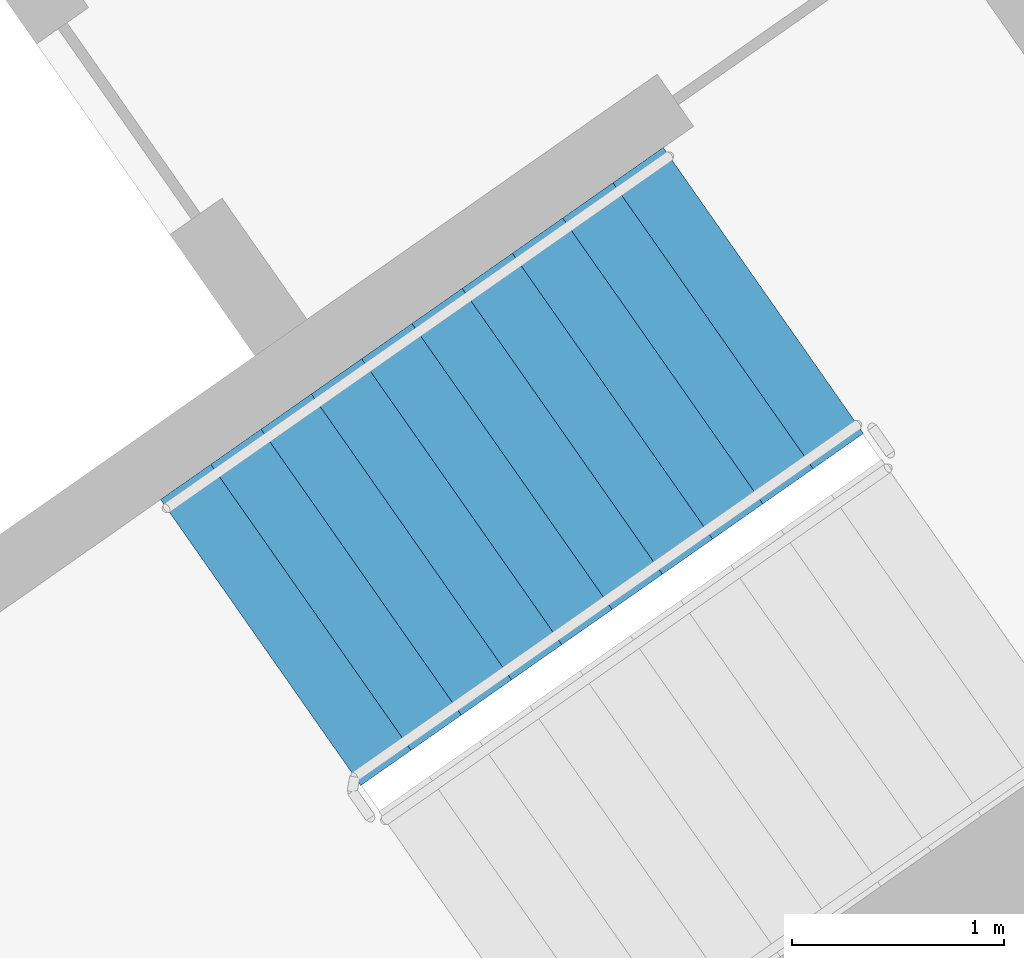
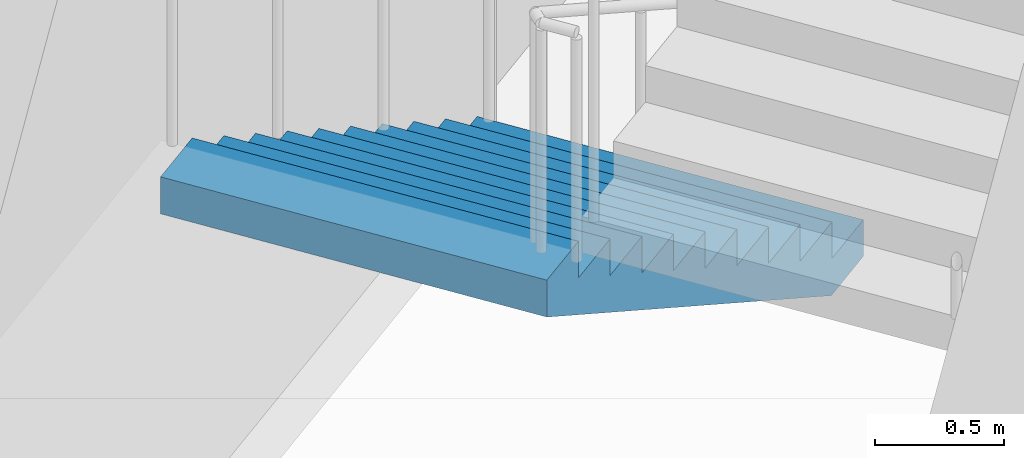
# One storey, part 16 of 29: 1 stair flight, 1 element without a shape of its own.
"""IFC4 building model written with IfcOpenShell, lengths in metres."""

import ifcopenshell
import ifcopenshell.guid

model = None  # the IFC model being written
_history = None  # IfcOwnerHistory: only IFC2X3 demands one
_inside = {}  # id of a spatial element -> (the spatial element, [elements in it])
_under = {}  # id of a project, library or spatial element -> (it, [spatial elements below it])
_declared = {}  # id of a project -> (the project, [libraries it declares])
_typed = {}  # id of a type object -> (the type object, [elements of that type])
_made_of = {}  # id of a material, layer set ... -> (it, [elements and type objects made of it])


def new_model(schema):
    """Start an empty IFC model of exactly this schema.

    Asked for "IFC4X3", IfcOpenShell would pick the latest addendum, in which some entities
    have other attributes; the version numbers below select the first issue.
    IFC2X3 requires an IfcOwnerHistory on every rooted entity: one is made here for all.
    """
    global model, _history
    if schema == "IFC4X3":
        model = ifcopenshell.file(schema_version=(4, 3, 0, 0))
    else:
        model = ifcopenshell.file(schema=schema)
    _inside.clear()
    _under.clear()
    _declared.clear()
    _typed.clear()
    _made_of.clear()
    _history = None
    if model.schema == "IFC2X3":
        org = make("IfcOrganization", Name="unknown")
        user = make(
            "IfcPersonAndOrganization",
            ThePerson=make("IfcPerson", FamilyName="unknown"),
            TheOrganization=org,
        )
        app = make(
            "IfcApplication",
            ApplicationDeveloper=org,
            Version="unknown",
            ApplicationFullName="unknown",
            ApplicationIdentifier="unknown",
        )
        _history = make(
            "IfcOwnerHistory",
            OwningUser=user,
            OwningApplication=app,
            ChangeAction="ADDED",
            CreationDate=0,
        )
    return model


def make(cls, **values):
    """One entity of the class cls with the attributes given. An attribute that is None is left unset."""
    return model.create_entity(
        cls, **{name: value for name, value in values.items() if value is not None}
    )


def rooted(cls, **values):
    """An entity with a GlobalId (a new one), such as an element, a storey or a relation."""
    return make(cls, GlobalId=ifcopenshell.guid.new(), OwnerHistory=_history, **values)


def si_unit(unit_type, name, prefix=None):
    """IfcSIUnit, for example si_unit("LENGTHUNIT", "METRE", prefix="MILLI")."""
    return make("IfcSIUnit", UnitType=unit_type, Prefix=prefix, Name=name)


def assignment(units):
    """IfcUnitAssignment: the units of a project."""
    return None if units is None else make("IfcUnitAssignment", Units=units)


def point(xyz):
    """IfcCartesianPoint."""
    return None if xyz is None else make("IfcCartesianPoint", Coordinates=xyz)


def direction(xyz):
    """IfcDirection."""
    return None if xyz is None else make("IfcDirection", DirectionRatios=xyz)


def frame(location, z_axis=None, x_axis=None):
    """IfcAxis2Placement3D, a coordinate frame: its origin and axes. An axis left out is left unset."""
    return make(
        "IfcAxis2Placement3D",
        Location=point(location),
        Axis=direction(z_axis),
        RefDirection=direction(x_axis),
    )


def origin():
    """The frame at (0, 0, 0) with its axes left unset."""
    return frame((0.0, 0.0, 0.0))


def place(relative_to, where):
    """IfcLocalPlacement: puts the frame where relative to a parent placement (None: the world)."""
    return make(
        "IfcLocalPlacement", PlacementRelTo=relative_to, RelativePlacement=where
    )


def context(
    kind, dimensions, precision=None, world=None, true_north=None, identifier=None
):
    """IfcGeometricRepresentationContext, for example the 3D "Model" context."""
    return make(
        "IfcGeometricRepresentationContext",
        ContextIdentifier=identifier,
        ContextType=kind,
        CoordinateSpaceDimension=dimensions,
        Precision=precision,
        WorldCoordinateSystem=world,
        TrueNorth=true_north,
    )


def subcontext(parent, identifier, kind, view, scale=None):
    """IfcGeometricRepresentationSubContext, for example "Body" below "Model"."""
    return make(
        "IfcGeometricRepresentationSubContext",
        ContextIdentifier=identifier,
        ContextType=kind,
        ParentContext=parent,
        TargetScale=scale,
        TargetView=view,
    )


def project(units=None, contexts=None):
    """IfcProject with its units and contexts."""
    return rooted(
        "IfcProject",
        Name="project",
        RepresentationContexts=contexts,
        UnitsInContext=assignment(units),
    )


def spatial(cls, under=None, at=None, **own):
    """A site, building, storey or space (cls), placed at a placement, below another one or the project."""
    s = rooted(cls, ObjectPlacement=at, **own)
    if under is not None:
        _under.setdefault(under.id(), (under, []))[1].append(s)
    return s


def faces_of(points, faces, orient=None, outer=None):
    """IfcFace entities. A face is a list of loops; a loop is a list of indices into points, from 0.

    orient and outer hold one flag for each loop. By default every Orientation is true, the
    first loop of a face is its IfcFaceOuterBound and the others are IfcFaceBound.
    """
    made = []
    for i, loops in enumerate(faces):
        bounds = []
        for j, loop in enumerate(loops):
            is_outer = j == 0 if outer is None else outer[i][j]
            bounds.append(
                make(
                    "IfcFaceOuterBound" if is_outer else "IfcFaceBound",
                    Bound=make("IfcPolyLoop", Polygon=[points[k] for k in loop]),
                    Orientation=True if orient is None else orient[i][j],
                )
            )
        made.append(make("IfcFace", Bounds=bounds))
    return made


def faceted_brep(points, faces, orient=None, outer=None, voids=None):
    """IfcFacetedBrep: a solid bounded by flat faces; with voids (closed shells), ...WithVoids."""
    shared = [point(p) for p in points]
    hull = make("IfcClosedShell", CfsFaces=faces_of(shared, faces, orient, outer))
    if voids is None:
        return make("IfcFacetedBrep", Outer=hull)
    return make(
        "IfcFacetedBrepWithVoids",
        Outer=hull,
        Voids=[
            make(cls, CfsFaces=faces_of(shared, fs, o, b)) for cls, fs, o, b in voids
        ],
    )


def shape(context_of_items, identifier, shape_type, items):
    """IfcShapeRepresentation: the items that make up one representation, for example the "Body"."""
    return make(
        "IfcShapeRepresentation",
        ContextOfItems=context_of_items,
        RepresentationIdentifier=identifier,
        RepresentationType=shape_type,
        Items=items,
    )


def material(Name=None, Category=None):
    """IfcMaterial."""
    return make("IfcMaterial", Name=Name, Category=Category)


def made_of(thing, what):
    """Note that an element or type object is made of a material, layer set ...; save() writes the relation."""
    if what is not None:
        _made_of.setdefault(what.id(), (what, []))[1].append(thing)
    return thing


def type_object(cls, material=None, **own):
    """A type object (cls), such as IfcWallType, which elements share."""
    return made_of(rooted(cls, **own), material)


def element(
    cls,
    number,
    at=None,
    inside=None,
    cuts=None,
    type_object=None,
    material=None,
    context=None,
    identifier="Body",
    shape_type=None,
    held_by="IfcProductDefinitionShape",
    body=None,
    shapes=None,
    **own,
):
    """One element of the class cls, such as IfcWall. Its Tag is "e" and its number.

    at: its placement. inside: the storey or other place that contains it. cuts: it is an
    opening in that element (IfcRelVoidsElement). A single representation is given by context,
    identifier, shape_type and body (its items); several are given by shapes. held_by: the class
    of the entity that holds the representations. save() writes the other relations.
    """
    e = rooted(cls, Tag="e%d" % number, ObjectPlacement=at, **own)
    if body is not None:
        shapes = [shape(context, identifier, shape_type, body)]
    if shapes is not None:
        e.Representation = make(held_by, Representations=shapes)
    if inside is not None:
        _inside.setdefault(inside.id(), (inside, []))[1].append(e)
    if cuts is not None:
        rooted(
            "IfcRelVoidsElement", RelatingBuildingElement=cuts, RelatedOpeningElement=e
        )
    if type_object is not None:
        _typed.setdefault(type_object.id(), (type_object, []))[1].append(e)
    return made_of(e, material)


def aggregate(whole, parts):
    """IfcRelAggregates: a whole, such as a stair, and the parts it consists of."""
    return rooted("IfcRelAggregates", RelatingObject=whole, RelatedObjects=parts)


def save(model, path):
    """Write the relations noted so far, then the file.

    IfcRelAggregates (storeys below a building ...), IfcRelContainedInSpatialStructure (elements
    in a storey), IfcRelDefinesByType, IfcRelAssociatesMaterial and IfcRelDeclares: one each for
    every whole, place, type object, material and project.
    """
    for whole, parts in _under.values():
        aggregate(whole, parts)
    for where, things in _inside.values():
        rooted(
            "IfcRelContainedInSpatialStructure",
            RelatedElements=things,
            RelatingStructure=where,
        )
    for kind, things in _typed.values():
        rooted("IfcRelDefinesByType", RelatedObjects=things, RelatingType=kind)
    for what, things in _made_of.values():
        rooted("IfcRelAssociatesMaterial", RelatedObjects=things, RelatingMaterial=what)
    for by, libraries in _declared.values():
        rooted("IfcRelDeclares", RelatingContext=by, RelatedDefinitions=libraries)
    model.write(path)


model = new_model("IFC4")

# Units and contexts
model_context = context("Model", 3, precision=1e-05, world=origin(), true_north=direction((0.0, 1.0)))
body_context = subcontext(model_context, "Body", "Model", "MODEL_VIEW")
ifc_project = project(units=[si_unit("LENGTHUNIT", "METRE"), si_unit("AREAUNIT", "SQUARE_METRE"), si_unit("VOLUMEUNIT", "CUBIC_METRE"), si_unit("PLANEANGLEUNIT", "RADIAN"), si_unit("MASSUNIT", "GRAM", prefix="KILO")], contexts=[model_context])

# Site, building, storey
site_placement = place(None, origin())
site = spatial("IfcSite", under=ifc_project, at=site_placement, CompositionType="ELEMENT")
building_placement = place(site_placement, origin())
building = spatial("IfcBuilding", under=site, at=building_placement, Name="Qamariyya Broadcast Tower", CompositionType="ELEMENT")
storey_placement = place(building_placement, frame((0.0, 0.0, 136.699951171875)))
storey = spatial("IfcBuildingStorey", under=building, at=storey_placement, Name="L31", CompositionType="ELEMENT", Elevation=136.699951171875)

# Stair, stair flight
ifc_material = material(Name="Concrete C50/60", Category="concrete")
stair_type = type_object("IfcStairType", Name="Exit stair 22 risers of 173 mm", PredefinedType="HALF_TURN_STAIR", material=ifc_material)
stair_placement = place(storey_placement, origin())
stair = element("IfcStair", 1, at=stair_placement, inside=storey, type_object=stair_type, Name="L31 Stair E1", PredefinedType="HALF_TURN_STAIR")
stair_flight_type = type_object("IfcStairFlightType", Name="Exit stair flight 11 risers of 173 mm", PredefinedType="STRAIGHT", material=ifc_material)
stair_flight_placement = place(storey_placement, frame((46.036376953125, -55.508056640625, 0.0), z_axis=(0.0, 0.0, 1.0), x_axis=(-0.819152044289, -0.573576436351, 0.0)))
stair_flight = element("IfcStairFlight", 2, at=stair_flight_placement, type_object=stair_flight_type, Name="ST-E1 flight 1", NumberOfRisers=11, NumberOfTreads=10, PredefinedType="STRAIGHT", RiserHeight=0.172727273, TreadLength=0.29, context=body_context, shape_type="Brep", body=[
    faceted_brep([(0.0, 0.824951171875, 0.0), (0.0, 0.824951171875, 0.172607421875), (0.2900390625, 0.824951171875, 0.172607421875), (0.2900390625, 0.824951171875, 0.345458984375), (0.580078125, 0.824951171875, 0.345458984375), (0.580078125, 0.824951171875, 0.51806640625), (0.8701171875, 0.824951171875, 0.51806640625), (0.8701171875, 0.824951171875, 0.69091796875), (1.159912109375, 0.824951171875, 0.69091796875), (1.159912109375, 0.824951171875, 0.863525390625), (1.449951171875, 0.824951171875, 0.863525390625), (1.449951171875, 0.824951171875, 1.036376953125), (1.739990234375, 0.824951171875, 1.036376953125), (1.739990234375, 0.824951171875, 1.208984375), (2.030029296875, 0.824951171875, 1.208984375), (2.030029296875, 0.824951171875, 1.3818359375), (2.320068359375, 0.824951171875, 1.3818359375), (2.320068359375, 0.824951171875, 1.554443359375), (2.610107421875, 0.824951171875, 1.554443359375), (2.610107421875, 0.824951171875, 1.727294921875), (2.89990234375, 0.824951171875, 1.727294921875), (2.89990234375, 0.824951171875, 1.552734375), (0.29296875, 0.824951171875, 0.0), (0.29296875, -0.824951171875, 0.0), (2.89990234375, -0.824951171875, 1.552734375), (2.89990234375, -0.824951171875, 1.727294921875), (2.610107421875, -0.824951171875, 1.727294921875), (2.610107421875, -0.824951171875, 1.554443359375), (2.320068359375, -0.824951171875, 1.554443359375), (2.320068359375, -0.824951171875, 1.3818359375), (2.030029296875, -0.824951171875, 1.3818359375), (2.030029296875, -0.824951171875, 1.208984375), (1.739990234375, -0.824951171875, 1.208984375), (1.739990234375, -0.824951171875, 1.036376953125), (1.449951171875, -0.824951171875, 1.036376953125), (1.449951171875, -0.824951171875, 0.863525390625), (1.159912109375, -0.824951171875, 0.863525390625), (1.159912109375, -0.824951171875, 0.69091796875), (0.8701171875, -0.824951171875, 0.69091796875), (0.8701171875, -0.824951171875, 0.51806640625), (0.580078125, -0.824951171875, 0.51806640625), (0.580078125, -0.824951171875, 0.345458984375), (0.2900390625, -0.824951171875, 0.345458984375), (0.2900390625, -0.824951171875, 0.172607421875), (0.0, -0.824951171875, 0.172607421875), (0.0, -0.824951171875, 0.0), (0.0, 0.10009765625, 0.0), (0.0, 0.086669921875, 0.0), (0.0, 0.0732421875, 0.0), (0.0, 0.06005859375, 0.0), (0.0, 0.046630859375, 0.0), (0.0, 0.033447265625, 0.0), (0.0, 0.02001953125, 0.0), (0.0, 0.006591796875, 0.0), (0.0, -0.006591796875, 0.0), (0.0, -0.02001953125, 0.0), (0.0, -0.033447265625, 0.0), (0.0, -0.046630859375, 0.0), (0.0, -0.06005859375, 0.0), (0.0, -0.0732421875, 0.0), (0.0, -0.086669921875, 0.0), (0.0, -0.10009765625, 0.0), (0.0, -0.10009765625, 0.172607421875), (0.0, -0.086669921875, 0.172607421875), (0.0, -0.0732421875, 0.172607421875), (0.0, -0.06005859375, 0.172607421875), (0.0, -0.046630859375, 0.172607421875), (0.0, -0.033447265625, 0.172607421875), (0.0, -0.02001953125, 0.172607421875), (0.0, -0.006591796875, 0.172607421875), (0.0, 0.006591796875, 0.172607421875), (0.0, 0.02001953125, 0.172607421875), (0.0, 0.033447265625, 0.172607421875), (0.0, 0.046630859375, 0.172607421875), (0.0, 0.06005859375, 0.172607421875), (0.0, 0.0732421875, 0.172607421875), (0.0, 0.086669921875, 0.172607421875), (0.0, 0.10009765625, 0.172607421875), (0.2900390625, -0.10009765625, 0.172607421875), (0.2900390625, -0.086669921875, 0.172607421875), (0.2900390625, -0.0732421875, 0.172607421875), (0.2900390625, -0.06005859375, 0.172607421875), (0.2900390625, -0.046630859375, 0.172607421875), (0.2900390625, -0.033447265625, 0.172607421875), (0.2900390625, -0.02001953125, 0.172607421875), (0.2900390625, -0.006591796875, 0.172607421875), (0.2900390625, 0.006591796875, 0.172607421875), (0.2900390625, 0.02001953125, 0.172607421875), (0.2900390625, 0.033447265625, 0.172607421875), (0.2900390625, 0.046630859375, 0.172607421875), (0.2900390625, 0.06005859375, 0.172607421875), (0.2900390625, 0.0732421875, 0.172607421875), (0.2900390625, 0.086669921875, 0.172607421875), (0.2900390625, 0.10009765625, 0.172607421875), (0.2900390625, -0.10009765625, 0.345458984375), (0.2900390625, -0.086669921875, 0.345458984375), (0.2900390625, -0.0732421875, 0.345458984375), (0.2900390625, -0.06005859375, 0.345458984375), (0.2900390625, -0.046630859375, 0.345458984375), (0.2900390625, -0.033447265625, 0.345458984375), (0.2900390625, -0.02001953125, 0.345458984375), (0.2900390625, -0.006591796875, 0.345458984375), (0.2900390625, 0.006591796875, 0.345458984375), (0.2900390625, 0.02001953125, 0.345458984375), (0.2900390625, 0.033447265625, 0.345458984375), (0.2900390625, 0.046630859375, 0.345458984375), (0.2900390625, 0.06005859375, 0.345458984375), (0.2900390625, 0.0732421875, 0.345458984375), (0.2900390625, 0.086669921875, 0.345458984375), (0.2900390625, 0.10009765625, 0.345458984375), (0.580078125, -0.10009765625, 0.345458984375), (0.580078125, -0.086669921875, 0.345458984375), (0.580078125, -0.0732421875, 0.345458984375), (0.580078125, -0.06005859375, 0.345458984375), (0.580078125, -0.046630859375, 0.345458984375), (0.580078125, -0.033447265625, 0.345458984375), (0.580078125, -0.02001953125, 0.345458984375), (0.580078125, -0.006591796875, 0.345458984375), (0.580078125, 0.006591796875, 0.345458984375), (0.580078125, 0.02001953125, 0.345458984375), (0.580078125, 0.033447265625, 0.345458984375), (0.580078125, 0.046630859375, 0.345458984375), (0.580078125, 0.06005859375, 0.345458984375), (0.580078125, 0.0732421875, 0.345458984375), (0.580078125, 0.086669921875, 0.345458984375), (0.580078125, 0.10009765625, 0.345458984375), (0.580078125, -0.10009765625, 0.51806640625), (0.580078125, -0.086669921875, 0.51806640625), (0.580078125, -0.0732421875, 0.51806640625), (0.580078125, -0.06005859375, 0.51806640625), (0.580078125, -0.046630859375, 0.51806640625), (0.580078125, -0.033447265625, 0.51806640625), (0.580078125, -0.02001953125, 0.51806640625), (0.580078125, -0.006591796875, 0.51806640625), (0.580078125, 0.006591796875, 0.51806640625), (0.580078125, 0.02001953125, 0.51806640625), (0.580078125, 0.033447265625, 0.51806640625), (0.580078125, 0.046630859375, 0.51806640625), (0.580078125, 0.06005859375, 0.51806640625), (0.580078125, 0.0732421875, 0.51806640625), (0.580078125, 0.086669921875, 0.51806640625), (0.580078125, 0.10009765625, 0.51806640625), (0.8701171875, -0.10009765625, 0.51806640625), (0.8701171875, -0.086669921875, 0.51806640625), (0.8701171875, -0.0732421875, 0.51806640625), (0.8701171875, -0.06005859375, 0.51806640625), (0.8701171875, -0.046630859375, 0.51806640625), (0.8701171875, -0.033447265625, 0.51806640625), (0.8701171875, -0.02001953125, 0.51806640625), (0.8701171875, -0.006591796875, 0.51806640625), (0.8701171875, 0.006591796875, 0.51806640625), (0.8701171875, 0.02001953125, 0.51806640625), (0.8701171875, 0.033447265625, 0.51806640625), (0.8701171875, 0.046630859375, 0.51806640625), (0.8701171875, 0.06005859375, 0.51806640625), (0.8701171875, 0.0732421875, 0.51806640625), (0.8701171875, 0.086669921875, 0.51806640625), (0.8701171875, 0.10009765625, 0.51806640625), (0.8701171875, -0.10009765625, 0.69091796875), (0.8701171875, -0.086669921875, 0.69091796875), (0.8701171875, -0.0732421875, 0.69091796875), (0.8701171875, -0.06005859375, 0.69091796875), (0.8701171875, -0.046630859375, 0.69091796875), (0.8701171875, -0.033447265625, 0.69091796875), (0.8701171875, -0.02001953125, 0.69091796875), (0.8701171875, -0.006591796875, 0.69091796875), (0.8701171875, 0.006591796875, 0.69091796875), (0.8701171875, 0.02001953125, 0.69091796875), (0.8701171875, 0.033447265625, 0.69091796875), (0.8701171875, 0.046630859375, 0.69091796875), (0.8701171875, 0.06005859375, 0.69091796875), (0.8701171875, 0.0732421875, 0.69091796875), (0.8701171875, 0.086669921875, 0.69091796875), (0.8701171875, 0.10009765625, 0.69091796875), (1.159912109375, -0.10009765625, 0.69091796875), (1.159912109375, -0.086669921875, 0.69091796875), (1.159912109375, -0.0732421875, 0.69091796875), (1.159912109375, -0.06005859375, 0.69091796875), (1.159912109375, -0.046630859375, 0.69091796875), (1.159912109375, -0.033447265625, 0.69091796875), (1.159912109375, -0.02001953125, 0.69091796875), (1.159912109375, -0.006591796875, 0.69091796875), (1.159912109375, 0.006591796875, 0.69091796875), (1.159912109375, 0.02001953125, 0.69091796875), (1.159912109375, 0.033447265625, 0.69091796875), (1.159912109375, 0.046630859375, 0.69091796875), (1.159912109375, 0.06005859375, 0.69091796875), (1.159912109375, 0.0732421875, 0.69091796875), (1.159912109375, 0.086669921875, 0.69091796875), (1.159912109375, 0.10009765625, 0.69091796875), (1.159912109375, -0.10009765625, 0.863525390625), (1.159912109375, -0.086669921875, 0.863525390625), (1.159912109375, -0.0732421875, 0.863525390625), (1.159912109375, -0.06005859375, 0.863525390625), (1.159912109375, -0.046630859375, 0.863525390625), (1.159912109375, -0.033447265625, 0.863525390625), (1.159912109375, -0.02001953125, 0.863525390625), (1.159912109375, -0.006591796875, 0.863525390625), (1.159912109375, 0.006591796875, 0.863525390625), (1.159912109375, 0.02001953125, 0.863525390625), (1.159912109375, 0.033447265625, 0.863525390625), (1.159912109375, 0.046630859375, 0.863525390625), (1.159912109375, 0.06005859375, 0.863525390625), (1.159912109375, 0.0732421875, 0.863525390625), (1.159912109375, 0.086669921875, 0.863525390625), (1.159912109375, 0.10009765625, 0.863525390625), (1.449951171875, -0.10009765625, 0.863525390625), (1.449951171875, -0.086669921875, 0.863525390625), (1.449951171875, -0.0732421875, 0.863525390625), (1.449951171875, -0.06005859375, 0.863525390625), (1.449951171875, -0.046630859375, 0.863525390625), (1.449951171875, -0.033447265625, 0.863525390625), (1.449951171875, -0.02001953125, 0.863525390625), (1.449951171875, -0.006591796875, 0.863525390625), (1.449951171875, 0.006591796875, 0.863525390625), (1.449951171875, 0.02001953125, 0.863525390625), (1.449951171875, 0.033447265625, 0.863525390625), (1.449951171875, 0.046630859375, 0.863525390625), (1.449951171875, 0.06005859375, 0.863525390625), (1.449951171875, 0.0732421875, 0.863525390625), (1.449951171875, 0.086669921875, 0.863525390625), (1.449951171875, 0.10009765625, 0.863525390625), (1.449951171875, -0.10009765625, 1.036376953125), (1.449951171875, -0.086669921875, 1.036376953125), (1.449951171875, -0.0732421875, 1.036376953125), (1.449951171875, -0.06005859375, 1.036376953125), (1.449951171875, -0.046630859375, 1.036376953125), (1.449951171875, -0.033447265625, 1.036376953125), (1.449951171875, -0.02001953125, 1.036376953125), (1.449951171875, -0.006591796875, 1.036376953125), (1.449951171875, 0.006591796875, 1.036376953125), (1.449951171875, 0.02001953125, 1.036376953125), (1.449951171875, 0.033447265625, 1.036376953125), (1.449951171875, 0.046630859375, 1.036376953125), (1.449951171875, 0.06005859375, 1.036376953125), (1.449951171875, 0.0732421875, 1.036376953125), (1.449951171875, 0.086669921875, 1.036376953125), (1.449951171875, 0.10009765625, 1.036376953125), (1.739990234375, -0.10009765625, 1.036376953125), (1.739990234375, -0.086669921875, 1.036376953125), (1.739990234375, -0.0732421875, 1.036376953125), (1.739990234375, -0.06005859375, 1.036376953125), (1.739990234375, -0.046630859375, 1.036376953125), (1.739990234375, -0.033447265625, 1.036376953125), (1.739990234375, -0.02001953125, 1.036376953125), (1.739990234375, -0.006591796875, 1.036376953125), (1.739990234375, 0.006591796875, 1.036376953125), (1.739990234375, 0.02001953125, 1.036376953125), (1.739990234375, 0.033447265625, 1.036376953125), (1.739990234375, 0.046630859375, 1.036376953125), (1.739990234375, 0.06005859375, 1.036376953125), (1.739990234375, 0.0732421875, 1.036376953125), (1.739990234375, 0.086669921875, 1.036376953125), (1.739990234375, 0.10009765625, 1.036376953125), (1.739990234375, -0.10009765625, 1.208984375), (1.739990234375, -0.086669921875, 1.208984375), (1.739990234375, -0.0732421875, 1.208984375), (1.739990234375, -0.06005859375, 1.208984375), (1.739990234375, -0.046630859375, 1.208984375), (1.739990234375, -0.033447265625, 1.208984375), (1.739990234375, -0.02001953125, 1.208984375), (1.739990234375, -0.006591796875, 1.208984375), (1.739990234375, 0.006591796875, 1.208984375), (1.739990234375, 0.02001953125, 1.208984375), (1.739990234375, 0.033447265625, 1.208984375), (1.739990234375, 0.046630859375, 1.208984375), (1.739990234375, 0.06005859375, 1.208984375), (1.739990234375, 0.0732421875, 1.208984375), (1.739990234375, 0.086669921875, 1.208984375), (1.739990234375, 0.10009765625, 1.208984375), (2.030029296875, -0.10009765625, 1.208984375), (2.030029296875, -0.086669921875, 1.208984375), (2.030029296875, -0.0732421875, 1.208984375), (2.030029296875, -0.06005859375, 1.208984375), (2.030029296875, -0.046630859375, 1.208984375), (2.030029296875, -0.033447265625, 1.208984375), (2.030029296875, -0.02001953125, 1.208984375), (2.030029296875, -0.006591796875, 1.208984375), (2.030029296875, 0.006591796875, 1.208984375), (2.030029296875, 0.02001953125, 1.208984375), (2.030029296875, 0.033447265625, 1.208984375), (2.030029296875, 0.046630859375, 1.208984375), (2.030029296875, 0.06005859375, 1.208984375), (2.030029296875, 0.0732421875, 1.208984375), (2.030029296875, 0.086669921875, 1.208984375), (2.030029296875, 0.10009765625, 1.208984375), (2.030029296875, -0.10009765625, 1.3818359375), (2.030029296875, -0.086669921875, 1.3818359375), (2.030029296875, -0.0732421875, 1.3818359375), (2.030029296875, -0.06005859375, 1.3818359375), (2.030029296875, -0.046630859375, 1.3818359375), (2.030029296875, -0.033447265625, 1.3818359375), (2.030029296875, -0.02001953125, 1.3818359375), (2.030029296875, -0.006591796875, 1.3818359375), (2.030029296875, 0.006591796875, 1.3818359375), (2.030029296875, 0.02001953125, 1.3818359375), (2.030029296875, 0.033447265625, 1.3818359375), (2.030029296875, 0.046630859375, 1.3818359375), (2.030029296875, 0.06005859375, 1.3818359375), (2.030029296875, 0.0732421875, 1.3818359375), (2.030029296875, 0.086669921875, 1.3818359375), (2.030029296875, 0.10009765625, 1.3818359375), (2.320068359375, -0.10009765625, 1.3818359375), (2.320068359375, -0.086669921875, 1.3818359375), (2.320068359375, -0.0732421875, 1.3818359375), (2.320068359375, -0.06005859375, 1.3818359375), (2.320068359375, -0.046630859375, 1.3818359375), (2.320068359375, -0.033447265625, 1.3818359375), (2.320068359375, -0.02001953125, 1.3818359375), (2.320068359375, -0.006591796875, 1.3818359375), (2.320068359375, 0.006591796875, 1.3818359375), (2.320068359375, 0.02001953125, 1.3818359375), (2.320068359375, 0.033447265625, 1.3818359375), (2.320068359375, 0.046630859375, 1.3818359375), (2.320068359375, 0.06005859375, 1.3818359375), (2.320068359375, 0.0732421875, 1.3818359375), (2.320068359375, 0.086669921875, 1.3818359375), (2.320068359375, 0.10009765625, 1.3818359375), (2.320068359375, -0.10009765625, 1.554443359375), (2.320068359375, -0.086669921875, 1.554443359375), (2.320068359375, -0.0732421875, 1.554443359375), (2.320068359375, -0.06005859375, 1.554443359375), (2.320068359375, -0.046630859375, 1.554443359375), (2.320068359375, -0.033447265625, 1.554443359375), (2.320068359375, -0.02001953125, 1.554443359375), (2.320068359375, -0.006591796875, 1.554443359375), (2.320068359375, 0.006591796875, 1.554443359375), (2.320068359375, 0.02001953125, 1.554443359375), (2.320068359375, 0.033447265625, 1.554443359375), (2.320068359375, 0.046630859375, 1.554443359375), (2.320068359375, 0.06005859375, 1.554443359375), (2.320068359375, 0.0732421875, 1.554443359375), (2.320068359375, 0.086669921875, 1.554443359375), (2.320068359375, 0.10009765625, 1.554443359375), (2.610107421875, -0.10009765625, 1.554443359375), (2.610107421875, -0.086669921875, 1.554443359375), (2.610107421875, -0.0732421875, 1.554443359375), (2.610107421875, -0.06005859375, 1.554443359375), (2.610107421875, -0.046630859375, 1.554443359375), (2.610107421875, -0.033447265625, 1.554443359375), (2.610107421875, -0.02001953125, 1.554443359375), (2.610107421875, -0.006591796875, 1.554443359375), (2.610107421875, 0.006591796875, 1.554443359375), (2.610107421875, 0.02001953125, 1.554443359375), (2.610107421875, 0.033447265625, 1.554443359375), (2.610107421875, 0.046630859375, 1.554443359375), (2.610107421875, 0.06005859375, 1.554443359375), (2.610107421875, 0.0732421875, 1.554443359375), (2.610107421875, 0.086669921875, 1.554443359375), (2.610107421875, 0.10009765625, 1.554443359375), (2.610107421875, -0.10009765625, 1.727294921875), (2.610107421875, -0.086669921875, 1.727294921875), (2.610107421875, -0.0732421875, 1.727294921875), (2.610107421875, -0.06005859375, 1.727294921875), (2.610107421875, -0.046630859375, 1.727294921875), (2.610107421875, -0.033447265625, 1.727294921875), (2.610107421875, -0.02001953125, 1.727294921875), (2.610107421875, -0.006591796875, 1.727294921875), (2.610107421875, 0.006591796875, 1.727294921875), (2.610107421875, 0.02001953125, 1.727294921875), (2.610107421875, 0.033447265625, 1.727294921875), (2.610107421875, 0.046630859375, 1.727294921875), (2.610107421875, 0.06005859375, 1.727294921875), (2.610107421875, 0.0732421875, 1.727294921875), (2.610107421875, 0.086669921875, 1.727294921875), (2.610107421875, 0.10009765625, 1.727294921875), (2.89990234375, -0.10009765625, 1.727294921875), (2.89990234375, -0.086669921875, 1.727294921875), (2.89990234375, -0.0732421875, 1.727294921875), (2.89990234375, -0.06005859375, 1.727294921875), (2.89990234375, -0.046630859375, 1.727294921875), (2.89990234375, -0.033447265625, 1.727294921875), (2.89990234375, -0.02001953125, 1.727294921875), (2.89990234375, -0.006591796875, 1.727294921875), (2.89990234375, 0.006591796875, 1.727294921875), (2.89990234375, 0.02001953125, 1.727294921875), (2.89990234375, 0.033447265625, 1.727294921875), (2.89990234375, 0.046630859375, 1.727294921875), (2.89990234375, 0.06005859375, 1.727294921875), (2.89990234375, 0.0732421875, 1.727294921875), (2.89990234375, 0.086669921875, 1.727294921875), (2.89990234375, 0.10009765625, 1.727294921875), (2.89990234375, -0.10009765625, 1.552734375), (2.89990234375, -0.086669921875, 1.552734375), (2.89990234375, -0.0732421875, 1.552734375), (2.89990234375, -0.06005859375, 1.552734375), (2.89990234375, -0.046630859375, 1.552734375), (2.89990234375, -0.033447265625, 1.552734375), (2.89990234375, -0.02001953125, 1.552734375), (2.89990234375, -0.006591796875, 1.552734375), (2.89990234375, 0.006591796875, 1.552734375), (2.89990234375, 0.02001953125, 1.552734375), (2.89990234375, 0.033447265625, 1.552734375), (2.89990234375, 0.046630859375, 1.552734375), (2.89990234375, 0.06005859375, 1.552734375), (2.89990234375, 0.0732421875, 1.552734375), (2.89990234375, 0.086669921875, 1.552734375), (2.89990234375, 0.10009765625, 1.552734375), (0.29296875, -0.10009765625, 0.0), (0.29296875, -0.086669921875, 0.0), (0.29296875, -0.0732421875, 0.0), (0.29296875, -0.06005859375, 0.0), (0.29296875, -0.046630859375, 0.0), (0.29296875, -0.033447265625, 0.0), (0.29296875, -0.02001953125, 0.0), (0.29296875, -0.006591796875, 0.0), (0.29296875, 0.006591796875, 0.0), (0.29296875, 0.02001953125, 0.0), (0.29296875, 0.033447265625, 0.0), (0.29296875, 0.046630859375, 0.0), (0.29296875, 0.06005859375, 0.0), (0.29296875, 0.0732421875, 0.0), (0.29296875, 0.086669921875, 0.0), (0.29296875, 0.10009765625, 0.0)], [[[0, 1, 2, 3, 4, 5, 6, 7, 8, 9, 10, 11, 12, 13, 14, 15, 16, 17, 18, 19, 20, 21, 22]], [[23, 24, 25, 26, 27, 28, 29, 30, 31, 32, 33, 34, 35, 36, 37, 38, 39, 40, 41, 42, 43, 44, 45]], [[0, 46, 47, 48, 49, 50, 51, 52, 53, 54, 55, 56, 57, 58, 59, 60, 61, 45, 44, 62, 63, 64, 65, 66, 67, 68, 69, 70, 71, 72, 73, 74, 75, 76, 77, 1]], [[1, 77, 76, 75, 74, 73, 72, 71, 70, 69, 68, 67, 66, 65, 64, 63, 62, 44, 43, 78, 79, 80, 81, 82, 83, 84, 85, 86, 87, 88, 89, 90, 91, 92, 93, 2]], [[2, 93, 92, 91, 90, 89, 88, 87, 86, 85, 84, 83, 82, 81, 80, 79, 78, 43, 42, 94, 95, 96, 97, 98, 99, 100, 101, 102, 103, 104, 105, 106, 107, 108, 109, 3]], [[3, 109, 108, 107, 106, 105, 104, 103, 102, 101, 100, 99, 98, 97, 96, 95, 94, 42, 41, 110, 111, 112, 113, 114, 115, 116, 117, 118, 119, 120, 121, 122, 123, 124, 125, 4]], [[4, 125, 124, 123, 122, 121, 120, 119, 118, 117, 116, 115, 114, 113, 112, 111, 110, 41, 40, 126, 127, 128, 129, 130, 131, 132, 133, 134, 135, 136, 137, 138, 139, 140, 141, 5]], [[5, 141, 140, 139, 138, 137, 136, 135, 134, 133, 132, 131, 130, 129, 128, 127, 126, 40, 39, 142, 143, 144, 145, 146, 147, 148, 149, 150, 151, 152, 153, 154, 155, 156, 157, 6]], [[6, 157, 156, 155, 154, 153, 152, 151, 150, 149, 148, 147, 146, 145, 144, 143, 142, 39, 38, 158, 159, 160, 161, 162, 163, 164, 165, 166, 167, 168, 169, 170, 171, 172, 173, 7]], [[7, 173, 172, 171, 170, 169, 168, 167, 166, 165, 164, 163, 162, 161, 160, 159, 158, 38, 37, 174, 175, 176, 177, 178, 179, 180, 181, 182, 183, 184, 185, 186, 187, 188, 189, 8]], [[8, 189, 188, 187, 186, 185, 184, 183, 182, 181, 180, 179, 178, 177, 176, 175, 174, 37, 36, 190, 191, 192, 193, 194, 195, 196, 197, 198, 199, 200, 201, 202, 203, 204, 205, 9]], [[9, 205, 204, 203, 202, 201, 200, 199, 198, 197, 196, 195, 194, 193, 192, 191, 190, 36, 35, 206, 207, 208, 209, 210, 211, 212, 213, 214, 215, 216, 217, 218, 219, 220, 221, 10]], [[10, 221, 220, 219, 218, 217, 216, 215, 214, 213, 212, 211, 210, 209, 208, 207, 206, 35, 34, 222, 223, 224, 225, 226, 227, 228, 229, 230, 231, 232, 233, 234, 235, 236, 237, 11]], [[11, 237, 236, 235, 234, 233, 232, 231, 230, 229, 228, 227, 226, 225, 224, 223, 222, 34, 33, 238, 239, 240, 241, 242, 243, 244, 245, 246, 247, 248, 249, 250, 251, 252, 253, 12]], [[12, 253, 252, 251, 250, 249, 248, 247, 246, 245, 244, 243, 242, 241, 240, 239, 238, 33, 32, 254, 255, 256, 257, 258, 259, 260, 261, 262, 263, 264, 265, 266, 267, 268, 269, 13]], [[13, 269, 268, 267, 266, 265, 264, 263, 262, 261, 260, 259, 258, 257, 256, 255, 254, 32, 31, 270, 271, 272, 273, 274, 275, 276, 277, 278, 279, 280, 281, 282, 283, 284, 285, 14]], [[14, 285, 284, 283, 282, 281, 280, 279, 278, 277, 276, 275, 274, 273, 272, 271, 270, 31, 30, 286, 287, 288, 289, 290, 291, 292, 293, 294, 295, 296, 297, 298, 299, 300, 301, 15]], [[15, 301, 300, 299, 298, 297, 296, 295, 294, 293, 292, 291, 290, 289, 288, 287, 286, 30, 29, 302, 303, 304, 305, 306, 307, 308, 309, 310, 311, 312, 313, 314, 315, 316, 317, 16]], [[16, 317, 316, 315, 314, 313, 312, 311, 310, 309, 308, 307, 306, 305, 304, 303, 302, 29, 28, 318, 319, 320, 321, 322, 323, 324, 325, 326, 327, 328, 329, 330, 331, 332, 333, 17]], [[17, 333, 332, 331, 330, 329, 328, 327, 326, 325, 324, 323, 322, 321, 320, 319, 318, 28, 27, 334, 335, 336, 337, 338, 339, 340, 341, 342, 343, 344, 345, 346, 347, 348, 349, 18]], [[18, 349, 348, 347, 346, 345, 344, 343, 342, 341, 340, 339, 338, 337, 336, 335, 334, 27, 26, 350, 351, 352, 353, 354, 355, 356, 357, 358, 359, 360, 361, 362, 363, 364, 365, 19]], [[19, 365, 364, 363, 362, 361, 360, 359, 358, 357, 356, 355, 354, 353, 352, 351, 350, 26, 25, 366, 367, 368, 369, 370, 371, 372, 373, 374, 375, 376, 377, 378, 379, 380, 381, 20]], [[20, 381, 380, 379, 378, 377, 376, 375, 374, 373, 372, 371, 370, 369, 368, 367, 366, 25, 24, 382, 383, 384, 385, 386, 387, 388, 389, 390, 391, 392, 393, 394, 395, 396, 397, 21]], [[21, 397, 396, 395, 394, 393, 392, 391, 390, 389, 388, 387, 386, 385, 384, 383, 382, 24, 23, 398, 399, 400, 401, 402, 403, 404, 405, 406, 407, 408, 409, 410, 411, 412, 413, 22]], [[22, 413, 412, 411, 410, 409, 408, 407, 406, 405, 404, 403, 402, 401, 400, 399, 398, 23, 45, 61, 60, 59, 58, 57, 56, 55, 54, 53, 52, 51, 50, 49, 48, 47, 46, 0]]]),
])
aggregate(stair, [stair_flight])

save(model, "model.ifc")
